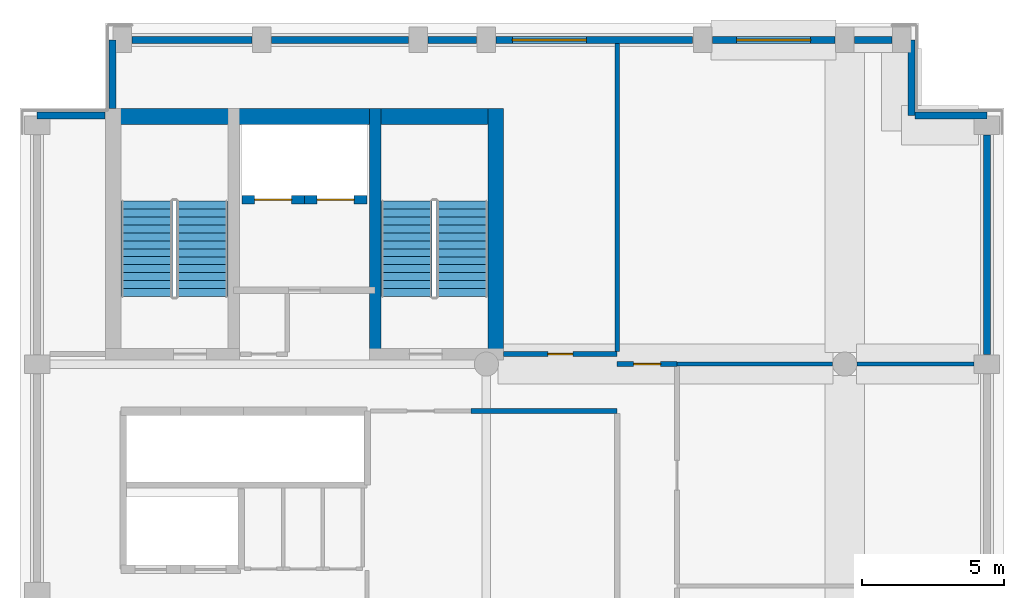
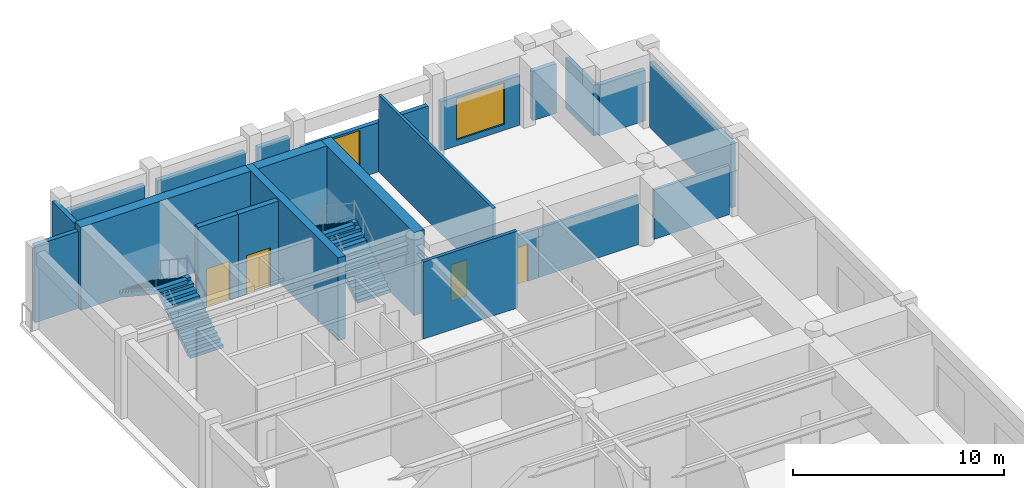
# One storey, part 4 of 6: 22 walls, 4 doors, 4 stair flights, 2 windows, 6 openings, 2 elements without a shape of their own.
"""IFC4 building model written with IfcOpenShell, lengths in metres."""

from ifc_helpers import new_model, si_unit, direction, frame, frame_2d, origin, place, context, subcontext, project, spatial, polyline, rectangle, outline, extrude, material, layer, layer_set, type_object, element, fill, aggregate, save


model = new_model("IFC4")

# Units and contexts
model_context = context("Model", 3, precision=1e-05, world=origin(), true_north=direction((0.0, 1.0)))
body_context = subcontext(model_context, "Body", "Model", "MODEL_VIEW")
ifc_project = project(units=[si_unit("LENGTHUNIT", "METRE"), si_unit("AREAUNIT", "SQUARE_METRE"), si_unit("VOLUMEUNIT", "CUBIC_METRE"), si_unit("PLANEANGLEUNIT", "RADIAN"), si_unit("MASSUNIT", "GRAM", prefix="KILO")], contexts=[model_context])

# Site, building, storey
site_placement = place(None, origin())
site = spatial("IfcSite", under=ifc_project, at=site_placement, CompositionType="ELEMENT")
building_placement = place(site_placement, origin())
building = spatial("IfcBuilding", under=site, at=building_placement, Name="Sulina Concourse Tower", CompositionType="ELEMENT")
storey_placement = place(building_placement, frame((0.0, 0.0, 313.0)))
storey = spatial("IfcBuildingStorey", under=building, at=storey_placement, Name="L76", CompositionType="ELEMENT", Elevation=313.0)

# Wall, opening, door
ifc_material_1 = material(Name="Concrete C50/60", Category="concrete")
ifc_layer_1 = layer(ifc_material_1, 0.300048828125)
ifc_layer_set_1 = layer_set([ifc_layer_1], Name="Concrete C50/60")
wall_type_1 = type_object("IfcWallType", Name="Core Lift Hoistway Wall 300mm", PredefinedType="SOLIDWALL", material=ifc_layer_set_1)
wall_1_placement = place(storey_placement, frame((10.0, 39.780029296875, 0.0), z_axis=(0.0, 0.0, 1.0), x_axis=(-1.0, 0.0, 0.0)))
wall_1 = element("IfcWall", 1, at=wall_1_placement, inside=storey, type_object=wall_type_1, Name="L76 hoistway enclosure wall FFL-1", PredefinedType="SOLIDWALL", context=body_context, shape_type="SweptSolid", body=[
    extrude(rectangle(XDim=2.199951171875, YDim=0.300048828125, at=frame_2d((1.10009765625, 0.0))), origin(), (0.0, 0.0, 1.0), 4.800048828125),
])
opening_1_placement = place(wall_1_placement, frame((0.449951171875, 0.0, 0.0)))
opening_1 = element("IfcOpeningElement", 2, at=opening_1_placement, cuts=wall_1, Name="Opening LD-02", PredefinedType="OPENING", context=body_context, shape_type="SweptSolid", body=[
    extrude(rectangle(XDim=1.300048828125, YDim=2.25, at=frame_2d((0.64990234375, 1.125))), frame((0.0, 0.159912109375, 0.0), z_axis=(0.0, -1.0, 0.0), x_axis=(1.0, 0.0, 0.0)), (0.0, 0.0, 1.0), 0.320068359375),
])
ifc_material_2 = material(Name="Stainless steel lift landing door", Category="steel")
ifc_layer_2 = layer(ifc_material_2, 0.050048828125)
ifc_layer_set_2 = layer_set([ifc_layer_2], Name="Stainless steel lift landing door")
door_type_1 = type_object("IfcDoorType", Name="Firefighting Lift Sliding Landing Door 1300x2250", OperationType="SLIDING_TO_RIGHT", PredefinedType="DOOR", material=ifc_layer_set_2)
door_1_placement = place(opening_1_placement, origin())
door_1 = element("IfcDoor", 3, at=door_1_placement, inside=storey, type_object=door_type_1, Name="L76 lift landing sliding door FFL-1", OperationType="SLIDING_TO_LEFT", OverallHeight=2.25, OverallWidth=1.300048828125, PredefinedType="DOOR", context=body_context, shape_type="SweptSolid", body=[
    extrude(rectangle(XDim=1.300048828125, YDim=2.25, at=frame_2d((0.64990234375, 1.125))), frame((0.0, 0.02490234375, 0.0), z_axis=(0.0, -1.0, 0.0), x_axis=(1.0, 0.0, 0.0)), (0.0, 0.0, 1.0), 0.050048828125),
])
fill(opening_1, door_1)

wall_2_placement = place(storey_placement, frame((12.199951171875, 39.780029296875, 0.0), z_axis=(0.0, 0.0, 1.0), x_axis=(-1.0, 0.0, 0.0)))
wall_2 = element("IfcWall", 4, at=wall_2_placement, inside=storey, type_object=wall_type_1, Name="L76 hoistway enclosure wall FFL-2", PredefinedType="SOLIDWALL", context=body_context, shape_type="SweptSolid", body=[
    extrude(rectangle(XDim=2.199951171875, YDim=0.300048828125, at=frame_2d((1.10009765625, 0.0))), origin(), (0.0, 0.0, 1.0), 4.800048828125),
])
opening_2_placement = place(wall_2_placement, frame((0.449951171875, 0.0, 0.0)))
opening_2 = element("IfcOpeningElement", 5, at=opening_2_placement, cuts=wall_2, Name="Opening LD-02", PredefinedType="OPENING", context=body_context, shape_type="SweptSolid", body=[
    extrude(rectangle(XDim=1.300048828125, YDim=2.25, at=frame_2d((0.64990234375, 1.125))), frame((0.0, 0.159912109375, 0.0), z_axis=(0.0, -1.0, 0.0), x_axis=(1.0, 0.0, 0.0)), (0.0, 0.0, 1.0), 0.320068359375),
])
door_2_placement = place(opening_2_placement, origin())
door_2 = element("IfcDoor", 6, at=door_2_placement, inside=storey, type_object=door_type_1, Name="L76 lift landing sliding door FFL-2", OperationType="SLIDING_TO_RIGHT", OverallHeight=2.25, OverallWidth=1.300048828125, PredefinedType="DOOR", context=body_context, shape_type="SweptSolid", body=[
    extrude(rectangle(XDim=1.300048828125, YDim=2.25, at=frame_2d((0.64990234375, 1.125))), frame((0.0, 0.02490234375, 0.0), z_axis=(0.0, -1.0, 0.0), x_axis=(1.0, 0.0, 0.0)), (0.0, 0.0, 1.0), 0.050048828125),
])
fill(opening_2, door_2)

# Walls
ifc_material_3 = material(Name="Precast concrete C50/60", Category="concrete")
ifc_layer_3 = layer(ifc_material_3, 0.239990234375)
ifc_layer_set_3 = layer_set([ifc_layer_3], Name="Precast concrete C50/60")
wall_type_2 = type_object("IfcWallType", Name="Crown Precast Masonry-Frame Facade Wall 240mm", PredefinedType="SOLIDWALL", material=ifc_layer_set_3)
wall_3_placement = place(storey_placement, frame((3.945068359375, 45.39990234375, 0.0), z_axis=(0.0, 0.0, 1.0), x_axis=(1.0, 0.0, 0.0)))
element("IfcWall", 7, at=wall_3_placement, inside=storey, type_object=wall_type_2, Name="L76 exterior precast wall N1", PredefinedType="SOLIDWALL", context=body_context, shape_type="SweptSolid", body=[
    extrude(rectangle(XDim=4.2099609375, YDim=0.239990234375, at=frame_2d((2.10498046875, 0.0))), origin(), (0.0, 0.0, 1.0), 3.7099609375),
])
wall_4_placement = place(storey_placement, frame((8.844970703125, 45.39990234375, 0.0), z_axis=(0.0, 0.0, 1.0), x_axis=(1.0, 0.0, 0.0)))
element("IfcWall", 8, at=wall_4_placement, inside=storey, type_object=wall_type_2, Name="L76 exterior precast wall N2", PredefinedType="SOLIDWALL", context=body_context, shape_type="SweptSolid", body=[
    extrude(rectangle(XDim=4.81005859375, YDim=0.239990234375, at=frame_2d((2.405029296875, 0.0))), origin(), (0.0, 0.0, 1.0), 3.7099609375),
])
wall_5_placement = place(storey_placement, frame((14.344970703125, 45.39990234375, 0.0), z_axis=(0.0, 0.0, 1.0), x_axis=(1.0, 0.0, 0.0)))
element("IfcWall", 9, at=wall_5_placement, inside=storey, type_object=wall_type_2, Name="L76 exterior precast wall N3", PredefinedType="SOLIDWALL", context=body_context, shape_type="SweptSolid", body=[
    extrude(rectangle(XDim=1.7099609375, YDim=0.239990234375, at=frame_2d((0.85498046875, 0.0))), origin(), (0.0, 0.0, 1.0), 3.7099609375),
])

# Wall, opening, window
wall_6_placement = place(storey_placement, frame((16.7451171875, 45.39990234375, 0.0), z_axis=(0.0, 0.0, 1.0), x_axis=(1.0, 0.0, 0.0)))
wall_6 = element("IfcWall", 10, at=wall_6_placement, inside=storey, type_object=wall_type_2, Name="L76 exterior precast wall N4", PredefinedType="SOLIDWALL", context=body_context, shape_type="SweptSolid", body=[
    extrude(rectangle(XDim=6.909912109375, YDim=0.239990234375, at=frame_2d((3.455078125, 0.0))), origin(), (0.0, 0.0, 1.0), 2.860107421875),
])
opening_3_placement = place(wall_6_placement, frame((0.570068359375, 0.0, 0.35009765625)))
opening_3 = element("IfcOpeningElement", 11, at=opening_3_placement, cuts=wall_6, Name="Opening WN-68", PredefinedType="OPENING", context=body_context, shape_type="SweptSolid", body=[
    extrude(rectangle(XDim=2.60009765625, YDim=2.39990234375, at=frame_2d((1.300048828125, 1.199951171875))), frame((0.0, 0.1298828125, 0.0), z_axis=(0.0, -1.0, 0.0), x_axis=(1.0, 0.0, 0.0)), (0.0, 0.0, 1.0), 0.260009765625),
])
ifc_material_4 = material(Name="Low-E solar double glazing in bronze aluminium", Category="aluminium")
window_type = type_object("IfcWindowType", Name="Crown Observation Picture Window 2600x2400", PartitioningType="DOUBLE_PANEL_VERTICAL", PredefinedType="WINDOW", material=ifc_material_4)
window_1_placement = place(opening_3_placement, origin())
window_1 = element("IfcWindow", 12, at=window_1_placement, inside=storey, type_object=window_type, Name="L76 punched window N4-1", OverallHeight=2.39990234375, OverallWidth=2.60009765625, PartitioningType="SINGLE_PANEL", PredefinedType="WINDOW", context=body_context, shape_type="SweptSolid", body=[
    extrude(rectangle(XDim=2.60009765625, YDim=2.39990234375, at=frame_2d((1.300048828125, 1.199951171875))), frame((0.0, 0.030029296875, 0.0), z_axis=(0.0, -1.0, 0.0), x_axis=(1.0, 0.0, 0.0)), (0.0, 0.0, 1.0), 0.06005859375),
])
fill(opening_3, window_1)

wall_7_placement = place(storey_placement, frame((24.344970703125, 45.39990234375, 0.0), z_axis=(0.0, 0.0, 1.0), x_axis=(1.0, 0.0, 0.0)))
wall_7 = element("IfcWall", 13, at=wall_7_placement, inside=storey, type_object=wall_type_2, Name="L76 exterior precast wall N5", PredefinedType="SOLIDWALL", context=body_context, shape_type="SweptSolid", body=[
    extrude(rectangle(XDim=4.31005859375, YDim=0.239990234375, at=frame_2d((2.155029296875, 0.0))), origin(), (0.0, 0.0, 1.0), 2.860107421875),
])
opening_4_placement = place(wall_7_placement, frame((0.85498046875, 0.0, 0.35009765625)))
opening_4 = element("IfcOpeningElement", 14, at=opening_4_placement, cuts=wall_7, Name="Opening WN-68", PredefinedType="OPENING", context=body_context, shape_type="SweptSolid", body=[
    extrude(rectangle(XDim=2.60009765625, YDim=2.39990234375, at=frame_2d((1.300048828125, 1.199951171875))), frame((0.0, 0.1298828125, 0.0), z_axis=(0.0, -1.0, 0.0), x_axis=(1.0, 0.0, 0.0)), (0.0, 0.0, 1.0), 0.260009765625),
])
window_2_placement = place(opening_4_placement, origin())
window_2 = element("IfcWindow", 15, at=window_2_placement, inside=storey, type_object=window_type, Name="L76 punched window N5-1", OverallHeight=2.39990234375, OverallWidth=2.60009765625, PartitioningType="SINGLE_PANEL", PredefinedType="WINDOW", context=body_context, shape_type="SweptSolid", body=[
    extrude(rectangle(XDim=2.60009765625, YDim=2.39990234375, at=frame_2d((1.300048828125, 1.199951171875))), frame((0.0, 0.030029296875, 0.0), z_axis=(0.0, -1.0, 0.0), x_axis=(1.0, 0.0, 0.0)), (0.0, 0.0, 1.0), 0.06005859375),
])
fill(opening_4, window_2)

# Walls
wall_8_placement = place(storey_placement, frame((29.344970703125, 45.39990234375, 0.0), z_axis=(0.0, 0.0, 1.0), x_axis=(1.0, 0.0, 0.0)))
element("IfcWall", 16, at=wall_8_placement, inside=storey, type_object=wall_type_2, Name="L76 exterior precast wall N6", PredefinedType="SOLIDWALL", context=body_context, shape_type="SweptSolid", body=[
    extrude(rectangle(XDim=1.31005859375, YDim=0.239990234375, at=frame_2d((0.655029296875, 0.0))), origin(), (0.0, 0.0, 1.0), 2.860107421875),
])
wall_9_placement = place(storey_placement, frame((34.0, 42.054931640625, 0.0), z_axis=(0.0, 0.0, 1.0), x_axis=(0.0, -1.0, 0.0)))
element("IfcWall", 17, at=wall_9_placement, inside=storey, type_object=wall_type_2, Name="L76 exterior precast wall E3", PredefinedType="SOLIDWALL", context=body_context, shape_type="SweptSolid", body=[
    extrude(rectangle(XDim=7.7099609375, YDim=0.239990234375, at=frame_2d((3.85498046875, 0.0))), origin(), (0.0, 0.0, 1.0), 3.780029296875),
])
wall_10_placement = place(storey_placement, frame((0.60009765625, 42.7451171875, 0.0), z_axis=(0.0, 0.0, 1.0), x_axis=(1.0, 0.0, 0.0)))
element("IfcWall", 18, at=wall_10_placement, inside=storey, type_object=wall_type_2, Name="L76 exterior precast wall CNW1", PredefinedType="SOLIDWALL", context=body_context, shape_type="SweptSolid", body=[
    extrude(rectangle(XDim=2.39501953125, YDim=0.239990234375, at=frame_2d((1.197509765625, 0.0))), origin(), (0.0, 0.0, 1.0), 4.4599609375),
])
wall_11_placement = place(storey_placement, frame((3.2548828125, 42.985107421875, 0.0), z_axis=(0.0, 0.0, 1.0), x_axis=(0.0, 1.0, 0.0)))
element("IfcWall", 19, at=wall_11_placement, inside=storey, type_object=wall_type_2, Name="L76 exterior precast wall CNW2", PredefinedType="SOLIDWALL", context=body_context, shape_type="SweptSolid", body=[
    extrude(rectangle(XDim=2.414794921875, YDim=0.239990234375, at=frame_2d((1.20751953125, 0.0))), origin(), (0.0, 0.0, 1.0), 4.4599609375),
])
wall_12_placement = place(storey_placement, frame((31.344970703125, 45.39990234375, 0.0), z_axis=(0.0, 0.0, 1.0), x_axis=(0.0, -1.0, 0.0)))
element("IfcWall", 20, at=wall_12_placement, inside=storey, type_object=wall_type_2, Name="L76 exterior precast wall CNE1", PredefinedType="SOLIDWALL", context=body_context, shape_type="SweptSolid", body=[
    extrude(rectangle(XDim=2.65478515625, YDim=0.239990234375, at=frame_2d((1.327392578125, 0.0))), origin(), (0.0, 0.0, 1.0), 2.929931640625),
])
wall_13_placement = place(storey_placement, frame((31.469970703125, 42.7451171875, 0.0), z_axis=(0.0, 0.0, 1.0), x_axis=(1.0, 0.0, 0.0)))
element("IfcWall", 21, at=wall_13_placement, inside=storey, type_object=wall_type_2, Name="L76 exterior precast wall CNE2", PredefinedType="SOLIDWALL", context=body_context, shape_type="SweptSolid", body=[
    extrude(rectangle(XDim=2.530029296875, YDim=0.239990234375, at=frame_2d((1.26513671875, 0.0))), origin(), (0.0, 0.0, 1.0), 2.929931640625),
])
ifc_material_5 = material(Name="Gypsum board on steel stud", Category="steel")
ifc_layer_4 = layer(ifc_material_5, 0.14990234375)
ifc_layer_set_4 = layer_set([ifc_layer_4], Name="Gypsum board on steel stud")
wall_type_3 = type_object("IfcWallType", Name="Inter-Tenancy Acoustic Partition 150mm", PredefinedType="PARTITIONING", material=ifc_layer_set_4)
wall_14_placement = place(storey_placement, frame((23.10009765625, 34.0, 0.0), z_axis=(0.0, 0.0, 1.0), x_axis=(1.0, 0.0, 0.0)))
element("IfcWall", 22, at=wall_14_placement, inside=storey, type_object=wall_type_3, Name="L76 interior partition 020", PredefinedType="PARTITIONING", context=body_context, shape_type="SweptSolid", body=[
    extrude(rectangle(XDim=5.474853515625, YDim=0.14990234375, at=frame_2d((2.7373046875, 0.0))), origin(), (0.0, 0.0, 1.0), 2.85498046875),
])
wall_15_placement = place(storey_placement, frame((29.425048828125, 34.0, 0.0), z_axis=(0.0, 0.0, 1.0), x_axis=(1.0, 0.0, 0.0)))
element("IfcWall", 23, at=wall_15_placement, inside=storey, type_object=wall_type_3, Name="L76 interior partition 021", PredefinedType="PARTITIONING", context=body_context, shape_type="SweptSolid", body=[
    extrude(rectangle(XDim=4.125, YDim=0.14990234375, at=frame_2d((2.0625, 0.0))), origin(), (0.0, 0.0, 1.0), 2.85498046875),
])
wall_16_placement = place(storey_placement, frame((21.0, 34.43994140625, 0.0), z_axis=(0.0, 0.0, 1.0), x_axis=(0.0, 1.0, 0.0)))
element("IfcWall", 24, at=wall_16_placement, inside=storey, type_object=wall_type_3, Name="L76 interior partition 038", PredefinedType="PARTITIONING", context=body_context, shape_type="SweptSolid", body=[
    extrude(rectangle(XDim=10.840087890625, YDim=0.14990234375, at=frame_2d((5.419921875, 0.0))), origin(), (0.0, 0.0, 1.0), 4.4599609375),
])
ifc_material_6 = material(Name="Gypsum board on steel stud", Category="steel")
ifc_layer_5 = layer(ifc_material_6, 0.179931640625)
ifc_layer_set_5 = layer_set([ifc_layer_5], Name="Gypsum board on steel stud")
wall_type_4 = type_object("IfcWallType", Name="Protected Corridor & Riser Partition 180mm", PredefinedType="PARTITIONING", material=ifc_layer_set_5)
wall_17_placement = place(storey_placement, frame((15.85009765625, 32.35009765625, 0.0), z_axis=(0.0, 0.0, 1.0), x_axis=(1.0, 0.0, 0.0)))
element("IfcWall", 25, at=wall_17_placement, inside=storey, type_object=wall_type_4, Name="L76 interior partition 018", PredefinedType="PARTITIONING", context=body_context, shape_type="SweptSolid", body=[
    extrude(rectangle(XDim=5.14990234375, YDim=0.179931640625, at=frame_2d((2.574951171875, 0.0))), origin(), (0.0, 0.0, 1.0), 4.4599609375),
])

# Wall, opening, door
wall_18_placement = place(storey_placement, frame((21.0, 34.0, 0.0), z_axis=(0.0, 0.0, 1.0), x_axis=(1.0, 0.0, 0.0)))
wall_18 = element("IfcWall", 26, at=wall_18_placement, inside=storey, type_object=wall_type_4, Name="L76 interior partition 019", PredefinedType="PARTITIONING", context=body_context, shape_type="SweptSolid", body=[
    extrude(rectangle(XDim=2.10009765625, YDim=0.179931640625, at=frame_2d((1.050048828125, 0.0))), origin(), (0.0, 0.0, 1.0), 2.85498046875),
])
opening_5_placement = place(wall_18_placement, frame((0.574951171875, 0.0, 0.0)))
opening_5 = element("IfcOpeningElement", 27, at=opening_5_placement, cuts=wall_18, Name="Opening DR-19", PredefinedType="OPENING", context=body_context, shape_type="SweptSolid", body=[
    extrude(rectangle(XDim=0.949951171875, YDim=2.14990234375, at=frame_2d((0.47509765625, 1.074951171875))), frame((0.0, 0.099853515625, 0.0), z_axis=(0.0, -1.0, 0.0), x_axis=(1.0, 0.0, 0.0)), (0.0, 0.0, 1.0), 0.199951171875),
])
ifc_material_7 = material(Name="Oak-veneered acoustic timber leaf", Category="wood")
ifc_layer_6 = layer(ifc_material_7, 0.050048828125)
ifc_layer_set_6 = layer_set([ifc_layer_6], Name="Oak-veneered acoustic timber leaf")
door_type_2 = type_object("IfcDoorType", Name="Cellular Office & Meeting Door 950x2150", OperationType="NOTDEFINED", PredefinedType="DOOR", material=ifc_layer_set_6)
door_3_placement = place(opening_5_placement, origin())
door_3 = element("IfcDoor", 28, at=door_3_placement, inside=storey, type_object=door_type_2, Name="L76 interior door L76-OBS-N", OperationType="SINGLE_SWING_LEFT", OverallHeight=2.14990234375, OverallWidth=0.949951171875, PredefinedType="DOOR", context=body_context, shape_type="SweptSolid", body=[
    extrude(rectangle(XDim=0.949951171875, YDim=2.14990234375, at=frame_2d((0.47509765625, 1.074951171875))), frame((0.0, 0.02490234375, 0.0), z_axis=(0.0, -1.0, 0.0), x_axis=(1.0, 0.0, 0.0)), (0.0, 0.0, 1.0), 0.050048828125),
])
fill(opening_5, door_3)

wall_19_placement = place(storey_placement, frame((17.0, 34.35009765625, 0.0), z_axis=(0.0, 0.0, 1.0), x_axis=(1.0, 0.0, 0.0)))
wall_19 = element("IfcWall", 29, at=wall_19_placement, inside=storey, type_object=wall_type_4, Name="L76 interior partition 024", PredefinedType="PARTITIONING", context=body_context, shape_type="SweptSolid", body=[
    extrude(rectangle(XDim=4.0, YDim=0.179931640625, at=frame_2d((2.0, 0.0))), origin(), (0.0, 0.0, 1.0), 2.85498046875),
])
opening_6_placement = place(wall_19_placement, frame((1.56005859375, 0.0, 0.0)))
opening_6 = element("IfcOpeningElement", 30, at=opening_6_placement, cuts=wall_19, Name="Opening DR-38", PredefinedType="OPENING", context=body_context, shape_type="SweptSolid", body=[
    extrude(rectangle(XDim=0.8798828125, YDim=2.10009765625, at=frame_2d((0.43994140625, 1.050048828125))), frame((0.0, 0.099853515625, 0.0), z_axis=(0.0, -1.0, 0.0), x_axis=(1.0, 0.0, 0.0)), (0.0, 0.0, 1.0), 0.199951171875),
])
ifc_material_8 = material(Name="Galvanised steel acoustic fire leaf", Category="steel")
ifc_layer_7 = layer(ifc_material_8, 0.050048828125)
ifc_layer_set_7 = layer_set([ifc_layer_7], Name="Galvanised steel acoustic fire leaf")
door_type_3 = type_object("IfcDoorType", Name="Service Riser Fire Door 880x2100", OperationType="NOTDEFINED", PredefinedType="DOOR", material=ifc_layer_set_7)
door_4_placement = place(opening_6_placement, origin())
door_4 = element("IfcDoor", 31, at=door_4_placement, inside=storey, type_object=door_type_3, Name="L76 interior door L76-STR-OBN", OperationType="SINGLE_SWING_LEFT", OverallHeight=2.10009765625, OverallWidth=0.8798828125, PredefinedType="DOOR", context=body_context, shape_type="SweptSolid", body=[
    extrude(rectangle(XDim=0.8798828125, YDim=2.10009765625, at=frame_2d((0.43994140625, 1.050048828125))), frame((0.0, 0.02490234375, 0.0), z_axis=(0.0, -1.0, 0.0), x_axis=(1.0, 0.0, 0.0)), (0.0, 0.0, 1.0), 0.050048828125),
])
fill(opening_6, door_4)

# Walls
ifc_material_9 = material(Name="Concrete C60/75", Category="concrete")
ifc_layer_8 = layer(ifc_material_9, 0.39990234375)
ifc_layer_set_8 = layer_set([ifc_layer_8], Name="Concrete C60/75")
wall_type_5 = type_object("IfcWallType", Name="Protected Stair Core Shear Wall 400mm", PredefinedType="SHEAR", material=ifc_layer_set_8)
wall_20_placement = place(storey_placement, frame((12.489990234375, 34.14990234375, 0.0), z_axis=(0.0, 0.0, 1.0), x_axis=(0.0, 1.0, 0.0)))
element("IfcWall", 32, at=wall_20_placement, inside=storey, type_object=wall_type_5, Name="L76 west core shear wall SW-ST2", PredefinedType="SHEAR", context=body_context, shape_type="SweptSolid", body=[
    extrude(rectangle(XDim=8.830078125, YDim=0.39990234375, at=frame_2d((4.4150390625, 0.0))), origin(), (0.0, 0.0, 1.0), 4.800048828125),
])
ifc_material_10 = material(Name="Concrete C50/60", Category="concrete")
ifc_layer_9 = layer(ifc_material_10, 0.550048828125)
ifc_layer_set_9 = layer_set([ifc_layer_9], Name="Concrete C50/60")
wall_type_6 = type_object("IfcWallType", Name="Upper Core Shear Wall 550mm", PredefinedType="SHEAR", material=ifc_layer_set_9)
wall_21_placement = place(storey_placement, frame((3.0, 42.705078125, 0.0), z_axis=(0.0, 0.0, 1.0), x_axis=(1.0, 0.0, 0.0)))
element("IfcWall", 33, at=wall_21_placement, inside=storey, type_object=wall_type_6, Name="L76 west core shear wall CW-WN", PredefinedType="SHEAR", context=body_context, shape_type="SweptSolid", body=[
    extrude(rectangle(XDim=14.0, YDim=0.550048828125, at=frame_2d((7.0, 0.0))), origin(), (0.0, 0.0, 1.0), 4.800048828125),
])
wall_22_placement = place(storey_placement, frame((16.72509765625, 34.14990234375, 0.0), z_axis=(0.0, 0.0, 1.0), x_axis=(0.0, 1.0, 0.0)))
element("IfcWall", 34, at=wall_22_placement, inside=storey, type_object=wall_type_6, Name="L76 west core shear wall CW-WE", PredefinedType="SHEAR", context=body_context, shape_type="SweptSolid", body=[
    extrude(rectangle(XDim=8.830078125, YDim=0.550048828125, at=frame_2d((4.4150390625, 0.0))), origin(), (0.0, 0.0, 1.0), 4.800048828125),
])

# Stair, stair flights
ifc_material_11 = material(Name="Concrete C50/60", Category="concrete")
stair_type = type_object("IfcStairType", Name="Primary Core Dog-Leg Exit Stair 1800mm", PredefinedType="HALF_TURN_STAIR", material=ifc_material_11)
stair_1_placement = place(storey_placement, origin())
stair_1 = element("IfcStair", 35, at=stair_1_placement, inside=storey, type_object=stair_type, Name="L76 ST-1", PredefinedType="HALF_TURN_STAIR")
ifc_material_12 = material(Name="Concrete C50/60", Category="concrete")
stair_flight_type = type_object("IfcStairFlightType", Name="Primary Core Dog-Leg Exit Stair 1800mm Flight", PredefinedType="STRAIGHT", material=ifc_material_12)
stair_flight_1_placement = place(storey_placement, frame((6.405029296875, 36.375, 0.0), z_axis=(0.0, 0.0, 1.0), x_axis=(0.0, 1.0, 0.0)))
stair_flight_1 = element("IfcStairFlight", 36, at=stair_flight_1_placement, type_object=stair_flight_type, Name="ST-1 flight 1", NumberOfRisers=13, NumberOfTreads=12, PredefinedType="STRAIGHT", RiserHeight=0.184615385, TreadLength=0.28, context=body_context, shape_type="SweptSolid", body=[
    extrude(outline(polyline([(0.0, 0.0), (0.0, 0.1845703125), (0.280029296875, 0.1845703125), (0.280029296875, 0.369140625), (0.56005859375, 0.369140625), (0.56005859375, 0.553955078125), (0.840087890625, 0.553955078125), (0.840087890625, 0.738525390625), (1.1201171875, 0.738525390625), (1.1201171875, 0.923095703125), (1.39990234375, 0.923095703125), (1.39990234375, 1.107666015625), (1.679931640625, 1.107666015625), (1.679931640625, 1.292236328125), (1.9599609375, 1.292236328125), (1.9599609375, 1.476806640625), (2.239990234375, 1.476806640625), (2.239990234375, 1.66162109375), (2.52001953125, 1.66162109375), (2.52001953125, 1.84619140625), (2.800048828125, 1.84619140625), (2.800048828125, 2.03076171875), (3.080078125, 2.03076171875), (3.080078125, 2.21533203125), (3.360107421875, 2.21533203125), (3.360107421875, 2.39990234375), (3.360107421875, 1.999755859375), (0.326904296875, 0.0), (0.0, 0.0)])), frame((0.0, 0.89990234375, 0.0), z_axis=(0.0, -1.0, 0.0), x_axis=(1.0, 0.0, 0.0)), (0.0, 0.0, 1.0), 1.800048828125),
])
stair_flight_2_placement = place(storey_placement, frame((4.455078125, 39.735107421875, 2.39990234375), z_axis=(0.0, 0.0, 1.0), x_axis=(0.0, -1.0, 0.0)))
stair_flight_2 = element("IfcStairFlight", 37, at=stair_flight_2_placement, type_object=stair_flight_type, Name="ST-1 flight 2", NumberOfRisers=13, NumberOfTreads=12, PredefinedType="STRAIGHT", RiserHeight=0.184615385, TreadLength=0.28, context=body_context, shape_type="SweptSolid", body=[
    extrude(outline(polyline([(0.0, 0.0), (0.0, 0.1845703125), (0.280029296875, 0.1845703125), (0.280029296875, 0.369140625), (0.56005859375, 0.369140625), (0.56005859375, 0.553955078125), (0.840087890625, 0.553955078125), (0.840087890625, 0.738525390625), (1.1201171875, 0.738525390625), (1.1201171875, 0.923095703125), (1.39990234375, 0.923095703125), (1.39990234375, 1.107666015625), (1.679931640625, 1.107666015625), (1.679931640625, 1.292236328125), (1.9599609375, 1.292236328125), (1.9599609375, 1.476806640625), (2.239990234375, 1.476806640625), (2.239990234375, 1.66162109375), (2.52001953125, 1.66162109375), (2.52001953125, 1.84619140625), (2.800048828125, 1.84619140625), (2.800048828125, 2.03076171875), (3.080078125, 2.03076171875), (3.080078125, 2.21533203125), (3.360107421875, 2.21533203125), (3.360107421875, 2.39990234375), (3.360107421875, 1.999755859375), (0.326904296875, 0.0), (0.0, 0.0)])), frame((0.0, 0.89990234375, 0.0), z_axis=(0.0, -1.0, 0.0), x_axis=(1.0, 0.0, 0.0)), (0.0, 0.0, 1.0), 1.800048828125),
])
aggregate(stair_1, [stair_flight_1, stair_flight_2])

stair_2_placement = place(storey_placement, origin())
stair_2 = element("IfcStair", 38, at=stair_2_placement, inside=storey, type_object=stair_type, Name="L76 ST-2", PredefinedType="HALF_TURN_STAIR")
stair_flight_3_placement = place(storey_placement, frame((15.544921875, 36.375, 0.0), z_axis=(0.0, 0.0, 1.0), x_axis=(0.0, 1.0, 0.0)))
stair_flight_3 = element("IfcStairFlight", 39, at=stair_flight_3_placement, type_object=stair_flight_type, Name="ST-2 flight 1", NumberOfRisers=13, NumberOfTreads=12, PredefinedType="STRAIGHT", RiserHeight=0.184615385, TreadLength=0.28, context=body_context, shape_type="SweptSolid", body=[
    extrude(outline(polyline([(0.0, 0.0), (0.0, 0.1845703125), (0.280029296875, 0.1845703125), (0.280029296875, 0.369140625), (0.56005859375, 0.369140625), (0.56005859375, 0.553955078125), (0.840087890625, 0.553955078125), (0.840087890625, 0.738525390625), (1.1201171875, 0.738525390625), (1.1201171875, 0.923095703125), (1.39990234375, 0.923095703125), (1.39990234375, 1.107666015625), (1.679931640625, 1.107666015625), (1.679931640625, 1.292236328125), (1.9599609375, 1.292236328125), (1.9599609375, 1.476806640625), (2.239990234375, 1.476806640625), (2.239990234375, 1.66162109375), (2.52001953125, 1.66162109375), (2.52001953125, 1.84619140625), (2.800048828125, 1.84619140625), (2.800048828125, 2.03076171875), (3.080078125, 2.03076171875), (3.080078125, 2.21533203125), (3.360107421875, 2.21533203125), (3.360107421875, 2.39990234375), (3.360107421875, 1.999755859375), (0.326904296875, 0.0), (0.0, 0.0)])), frame((0.0, 0.89990234375, 0.0), z_axis=(0.0, -1.0, 0.0), x_axis=(1.0, 0.0, 0.0)), (0.0, 0.0, 1.0), 1.800048828125),
])
stair_flight_4_placement = place(storey_placement, frame((13.594970703125, 39.735107421875, 2.39990234375), z_axis=(0.0, 0.0, 1.0), x_axis=(0.0, -1.0, 0.0)))
stair_flight_4 = element("IfcStairFlight", 40, at=stair_flight_4_placement, type_object=stair_flight_type, Name="ST-2 flight 2", NumberOfRisers=13, NumberOfTreads=12, PredefinedType="STRAIGHT", RiserHeight=0.184615385, TreadLength=0.28, context=body_context, shape_type="SweptSolid", body=[
    extrude(outline(polyline([(0.0, 0.0), (0.0, 0.1845703125), (0.280029296875, 0.1845703125), (0.280029296875, 0.369140625), (0.56005859375, 0.369140625), (0.56005859375, 0.553955078125), (0.840087890625, 0.553955078125), (0.840087890625, 0.738525390625), (1.1201171875, 0.738525390625), (1.1201171875, 0.923095703125), (1.39990234375, 0.923095703125), (1.39990234375, 1.107666015625), (1.679931640625, 1.107666015625), (1.679931640625, 1.292236328125), (1.9599609375, 1.292236328125), (1.9599609375, 1.476806640625), (2.239990234375, 1.476806640625), (2.239990234375, 1.66162109375), (2.52001953125, 1.66162109375), (2.52001953125, 1.84619140625), (2.800048828125, 1.84619140625), (2.800048828125, 2.03076171875), (3.080078125, 2.03076171875), (3.080078125, 2.21533203125), (3.360107421875, 2.21533203125), (3.360107421875, 2.39990234375), (3.360107421875, 1.999755859375), (0.326904296875, 0.0), (0.0, 0.0)])), frame((0.0, 0.89990234375, 0.0), z_axis=(0.0, -1.0, 0.0), x_axis=(1.0, 0.0, 0.0)), (0.0, 0.0, 1.0), 1.800048828125),
])
aggregate(stair_2, [stair_flight_3, stair_flight_4])

save(model, "model.ifc")
